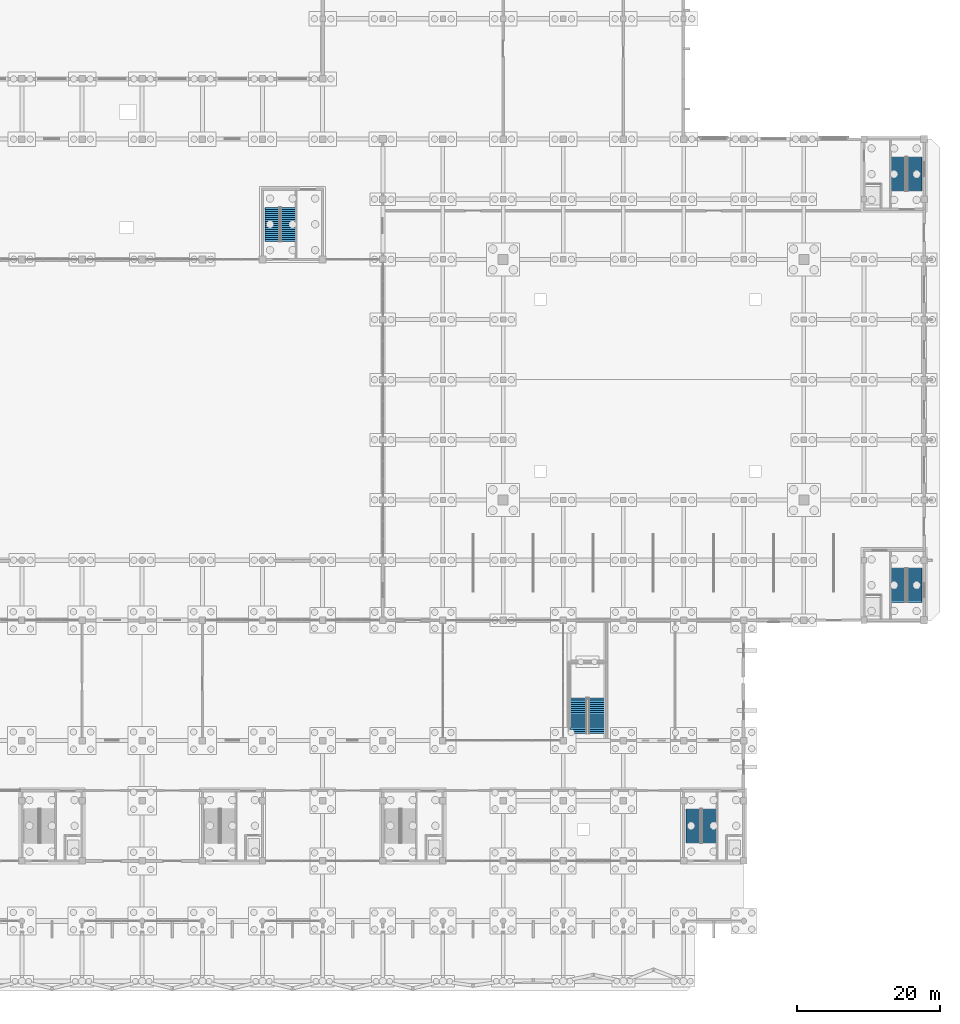
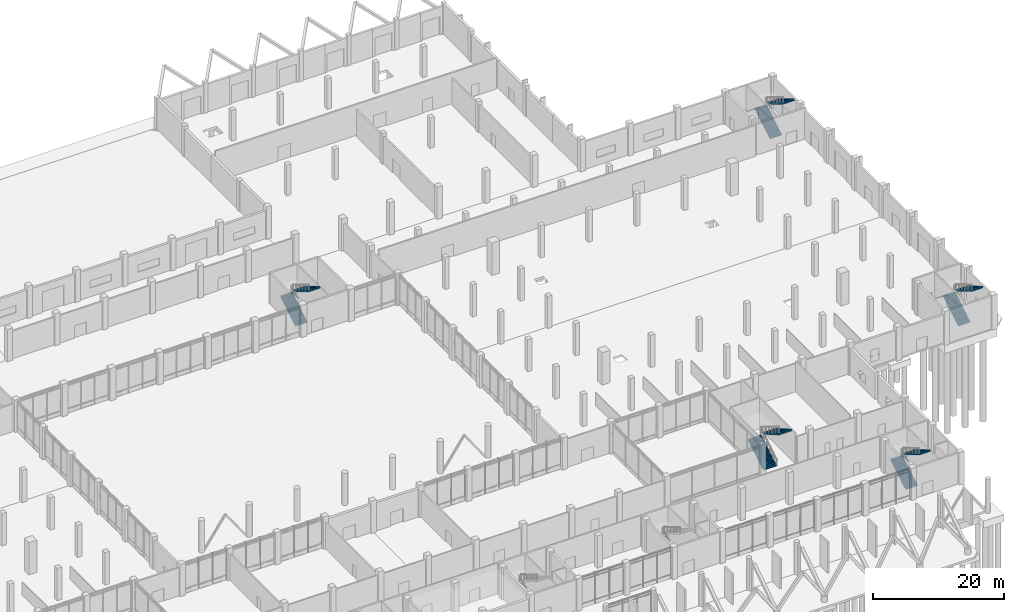
# One storey, part 64 of 72: 10 stair flights, 5 elements without a shape of their own.
"""IFC4 building model written with IfcOpenShell, lengths in metres."""

from ifc_helpers import new_model, si_unit, direction, frame, origin, place, context, subcontext, project, spatial, polyline, outline, extrude, material, type_object, element, aggregate, save


model = new_model("IFC4")

# Units and contexts
model_context = context("Model", 3, precision=1e-05, world=origin(), true_north=direction((0.0, 1.0)))
body_context = subcontext(model_context, "Body", "Model", "MODEL_VIEW")
ifc_project = project(units=[si_unit("LENGTHUNIT", "METRE"), si_unit("AREAUNIT", "SQUARE_METRE"), si_unit("VOLUMEUNIT", "CUBIC_METRE"), si_unit("PLANEANGLEUNIT", "RADIAN"), si_unit("MASSUNIT", "GRAM", prefix="KILO")], contexts=[model_context])

# Site, building, storey
site_placement = place(None, origin())
site = spatial("IfcSite", under=ifc_project, at=site_placement, CompositionType="ELEMENT")
building_placement = place(site_placement, origin())
building = spatial("IfcBuilding", under=site, at=building_placement, Name="Qawsi Khor Wholesale Market", CompositionType="ELEMENT")
storey_placement = place(building_placement, origin())
storey = spatial("IfcBuildingStorey", under=building, at=storey_placement, Name="L00", CompositionType="ELEMENT", Elevation=0.0)

# Stair, stair flights
ifc_material = material(Name="Concrete C40/50", Category="concrete")
stair_type_1 = type_object("IfcStairType", Name="Atrium Feature Stair 6000 Rise", PredefinedType="HALF_TURN_STAIR", material=ifc_material)
stair_1_placement = place(storey_placement, origin())
stair_1 = element("IfcStair", 1, at=stair_1_placement, inside=storey, type_object=stair_type_1, Name="Atrium feature stair E L00", PredefinedType="HALF_TURN_STAIR")
stair_flight_type_1 = type_object("IfcStairFlightType", Name="Atrium Feature Flight 18R x 166.7 / 290G (2300w)", PredefinedType="STRAIGHT", material=ifc_material)
stair_flight_1_placement = place(storey_placement, frame((170.10009765625, 26.199951171875, 0.0), z_axis=(0.0, 0.0, 1.0), x_axis=(0.0, 1.0, 0.0)))
stair_flight_1 = element("IfcStairFlight", 2, at=stair_flight_1_placement, type_object=stair_flight_type_1, Name="ST-AE-0 flight 1", NumberOfRisers=18, NumberOfTreads=17, PredefinedType="STRAIGHT", RiserHeight=0.16667, TreadLength=0.29, context=body_context, shape_type="SweptSolid", body=[
    extrude(outline(polyline([(0.0, 0.0), (0.0, 0.166748046875), (0.2900390625, 0.166748046875), (0.2900390625, 0.333251953125), (0.580078125, 0.333251953125), (0.580078125, 0.5), (0.8701171875, 0.5), (0.8701171875, 0.666748046875), (1.159912109375, 0.666748046875), (1.159912109375, 0.833251953125), (1.449951171875, 0.833251953125), (1.449951171875, 1.0), (1.739990234375, 1.0), (1.739990234375, 1.166748046875), (2.030029296875, 1.166748046875), (2.030029296875, 1.333251953125), (2.320068359375, 1.333251953125), (2.320068359375, 1.5), (2.610107421875, 1.5), (2.610107421875, 1.666748046875), (2.89990234375, 1.666748046875), (2.89990234375, 1.833251953125), (3.18994140625, 1.833251953125), (3.18994140625, 2.0), (3.47998046875, 2.0), (3.47998046875, 2.166748046875), (3.77001953125, 2.166748046875), (3.77001953125, 2.33349609375), (4.06005859375, 2.33349609375), (4.06005859375, 2.5), (4.35009765625, 2.5), (4.35009765625, 2.666748046875), (4.639892578125, 2.666748046875), (4.639892578125, 2.83349609375), (4.929931640625, 2.83349609375), (4.929931640625, 3.0), (4.929931640625, 2.602783203125), (0.4013671875, 0.0), (0.0, 0.0)])), frame((0.0, 1.14990234375, 0.0), z_axis=(0.0, -1.0, 0.0), x_axis=(1.0, 0.0, 0.0)), (0.0, 0.0, 1.0), 2.300048828125),
])
stair_flight_2_placement = place(storey_placement, frame((172.699951171875, 31.1298828125, 3.0), z_axis=(0.0, 0.0, 1.0), x_axis=(0.0, -1.0, 0.0)))
stair_flight_2 = element("IfcStairFlight", 3, at=stair_flight_2_placement, type_object=stair_flight_type_1, Name="ST-AE-0 flight 2", NumberOfRisers=18, NumberOfTreads=17, PredefinedType="STRAIGHT", RiserHeight=0.16667, TreadLength=0.29, context=body_context, shape_type="SweptSolid", body=[
    extrude(outline(polyline([(0.0, 0.0), (0.0, 0.166748046875), (0.2900390625, 0.166748046875), (0.2900390625, 0.333251953125), (0.580078125, 0.333251953125), (0.580078125, 0.5), (0.8701171875, 0.5), (0.8701171875, 0.666748046875), (1.159912109375, 0.666748046875), (1.159912109375, 0.833251953125), (1.449951171875, 0.833251953125), (1.449951171875, 1.0), (1.739990234375, 1.0), (1.739990234375, 1.166748046875), (2.030029296875, 1.166748046875), (2.030029296875, 1.333251953125), (2.320068359375, 1.333251953125), (2.320068359375, 1.5), (2.610107421875, 1.5), (2.610107421875, 1.666748046875), (2.89990234375, 1.666748046875), (2.89990234375, 1.833251953125), (3.18994140625, 1.833251953125), (3.18994140625, 2.0), (3.47998046875, 2.0), (3.47998046875, 2.166748046875), (3.77001953125, 2.166748046875), (3.77001953125, 2.33349609375), (4.06005859375, 2.33349609375), (4.06005859375, 2.5), (4.35009765625, 2.5), (4.35009765625, 2.666748046875), (4.639892578125, 2.666748046875), (4.639892578125, 2.83349609375), (4.929931640625, 2.83349609375), (4.929931640625, 3.0), (4.929931640625, 2.602783203125), (0.4013671875, 0.0), (0.0, 0.0)])), frame((0.0, 1.14990234375, 0.0), z_axis=(0.0, -1.0, 0.0), x_axis=(1.0, 0.0, 0.0)), (0.0, 0.0, 1.0), 2.300048828125),
])
aggregate(stair_1, [stair_flight_1, stair_flight_2])

stair_type_2 = type_object("IfcStairType", Name="Exit Stair L00-L01 6000 Rise", PredefinedType="HALF_TURN_STAIR", material=ifc_material)
stair_2_placement = place(storey_placement, origin())
stair_2 = element("IfcStair", 4, at=stair_2_placement, inside=storey, type_object=stair_type_2, Name="Stair ST-06 L00", PredefinedType="HALF_TURN_STAIR")
stair_flight_type_2 = type_object("IfcStairFlightType", Name="Stair Flight 18R x 166.7 / 280G (2060w)", PredefinedType="STRAIGHT", material=ifc_material)
stair_flight_3_placement = place(storey_placement, frame((186.14990234375, 10.919921875, 0.0), z_axis=(0.0, 0.0, 1.0), x_axis=(0.0, 1.0, 0.0)))
stair_flight_3 = element("IfcStairFlight", 5, at=stair_flight_3_placement, type_object=stair_flight_type_2, Name="ST-06-L00 flight 1", NumberOfRisers=18, NumberOfTreads=17, PredefinedType="STRAIGHT", RiserHeight=0.16667, TreadLength=0.28, context=body_context, shape_type="SweptSolid", body=[
    extrude(outline(polyline([(0.0, 0.0), (0.0, 0.166748046875), (0.280029296875, 0.166748046875), (0.280029296875, 0.333251953125), (0.56005859375, 0.333251953125), (0.56005859375, 0.5), (0.840087890625, 0.5), (0.840087890625, 0.666748046875), (1.1201171875, 0.666748046875), (1.1201171875, 0.833251953125), (1.39990234375, 0.833251953125), (1.39990234375, 1.0), (1.679931640625, 1.0), (1.679931640625, 1.166748046875), (1.9599609375, 1.166748046875), (1.9599609375, 1.333251953125), (2.239990234375, 1.333251953125), (2.239990234375, 1.5), (2.52001953125, 1.5), (2.52001953125, 1.666748046875), (2.800048828125, 1.666748046875), (2.800048828125, 1.833251953125), (3.080078125, 1.833251953125), (3.080078125, 2.0), (3.360107421875, 2.0), (3.360107421875, 2.166748046875), (3.639892578125, 2.166748046875), (3.639892578125, 2.33349609375), (3.919921875, 2.33349609375), (3.919921875, 2.5), (4.199951171875, 2.5), (4.199951171875, 2.666748046875), (4.47998046875, 2.666748046875), (4.47998046875, 2.83349609375), (4.760009765625, 2.83349609375), (4.760009765625, 3.0), (4.760009765625, 2.6240234375), (0.351806640625, 0.0), (0.0, 0.0)])), frame((0.0, 1.030029296875, 0.0), z_axis=(0.0, -1.0, 0.0), x_axis=(1.0, 0.0, 0.0)), (0.0, 0.0, 1.0), 2.06005859375),
])
stair_flight_4_placement = place(storey_placement, frame((188.389892578125, 15.679931640625, 3.0), z_axis=(0.0, 0.0, 1.0), x_axis=(0.0, -1.0, 0.0)))
stair_flight_4 = element("IfcStairFlight", 6, at=stair_flight_4_placement, type_object=stair_flight_type_2, Name="ST-06-L00 flight 2", NumberOfRisers=18, NumberOfTreads=17, PredefinedType="STRAIGHT", RiserHeight=0.16667, TreadLength=0.28, context=body_context, shape_type="SweptSolid", body=[
    extrude(outline(polyline([(0.0, 0.0), (0.0, 0.166748046875), (0.280029296875, 0.166748046875), (0.280029296875, 0.333251953125), (0.56005859375, 0.333251953125), (0.56005859375, 0.5), (0.840087890625, 0.5), (0.840087890625, 0.666748046875), (1.1201171875, 0.666748046875), (1.1201171875, 0.833251953125), (1.39990234375, 0.833251953125), (1.39990234375, 1.0), (1.679931640625, 1.0), (1.679931640625, 1.166748046875), (1.9599609375, 1.166748046875), (1.9599609375, 1.333251953125), (2.239990234375, 1.333251953125), (2.239990234375, 1.5), (2.52001953125, 1.5), (2.52001953125, 1.666748046875), (2.800048828125, 1.666748046875), (2.800048828125, 1.833251953125), (3.080078125, 1.833251953125), (3.080078125, 2.0), (3.360107421875, 2.0), (3.360107421875, 2.166748046875), (3.639892578125, 2.166748046875), (3.639892578125, 2.33349609375), (3.919921875, 2.33349609375), (3.919921875, 2.5), (4.199951171875, 2.5), (4.199951171875, 2.666748046875), (4.47998046875, 2.666748046875), (4.47998046875, 2.83349609375), (4.760009765625, 2.83349609375), (4.760009765625, 3.0), (4.760009765625, 2.6240234375), (0.351806640625, 0.0), (0.0, 0.0)])), frame((0.0, 1.030029296875, 0.0), z_axis=(0.0, -1.0, 0.0), x_axis=(1.0, 0.0, 0.0)), (0.0, 0.0, 1.0), 2.06005859375),
])
aggregate(stair_2, [stair_flight_3, stair_flight_4])

stair_3_placement = place(storey_placement, origin())
stair_3 = element("IfcStair", 7, at=stair_3_placement, inside=storey, type_object=stair_type_2, Name="Stair ST-10 L00", PredefinedType="HALF_TURN_STAIR")
stair_flight_5_placement = place(storey_placement, frame((127.35009765625, 94.919921875, 0.0), z_axis=(0.0, 0.0, 1.0), x_axis=(0.0, 1.0, 0.0)))
stair_flight_5 = element("IfcStairFlight", 8, at=stair_flight_5_placement, type_object=stair_flight_type_2, Name="ST-10-L00 flight 1", NumberOfRisers=18, NumberOfTreads=17, PredefinedType="STRAIGHT", RiserHeight=0.16667, TreadLength=0.28, context=body_context, shape_type="SweptSolid", body=[
    extrude(outline(polyline([(0.0, 0.0), (0.0, 0.166748046875), (0.280029296875, 0.166748046875), (0.280029296875, 0.333251953125), (0.56005859375, 0.333251953125), (0.56005859375, 0.5), (0.840087890625, 0.5), (0.840087890625, 0.666748046875), (1.1201171875, 0.666748046875), (1.1201171875, 0.833251953125), (1.39990234375, 0.833251953125), (1.39990234375, 1.0), (1.679931640625, 1.0), (1.679931640625, 1.166748046875), (1.9599609375, 1.166748046875), (1.9599609375, 1.333251953125), (2.239990234375, 1.333251953125), (2.239990234375, 1.5), (2.52001953125, 1.5), (2.52001953125, 1.666748046875), (2.800048828125, 1.666748046875), (2.800048828125, 1.833251953125), (3.080078125, 1.833251953125), (3.080078125, 2.0), (3.360107421875, 2.0), (3.360107421875, 2.166748046875), (3.639892578125, 2.166748046875), (3.639892578125, 2.33349609375), (3.919921875, 2.33349609375), (3.919921875, 2.5), (4.199951171875, 2.5), (4.199951171875, 2.666748046875), (4.47998046875, 2.666748046875), (4.47998046875, 2.83349609375), (4.760009765625, 2.83349609375), (4.760009765625, 3.0), (4.760009765625, 2.6240234375), (0.351806640625, 0.0), (0.0, 0.0)])), frame((0.0, 1.030029296875, 0.0), z_axis=(0.0, -1.0, 0.0), x_axis=(1.0, 0.0, 0.0)), (0.0, 0.0, 1.0), 2.06005859375),
])
stair_flight_6_placement = place(storey_placement, frame((129.590087890625, 99.679931640625, 3.0), z_axis=(0.0, 0.0, 1.0), x_axis=(0.0, -1.0, 0.0)))
stair_flight_6 = element("IfcStairFlight", 9, at=stair_flight_6_placement, type_object=stair_flight_type_2, Name="ST-10-L00 flight 2", NumberOfRisers=18, NumberOfTreads=17, PredefinedType="STRAIGHT", RiserHeight=0.16667, TreadLength=0.28, context=body_context, shape_type="SweptSolid", body=[
    extrude(outline(polyline([(0.0, 0.0), (0.0, 0.166748046875), (0.280029296875, 0.166748046875), (0.280029296875, 0.333251953125), (0.56005859375, 0.333251953125), (0.56005859375, 0.5), (0.840087890625, 0.5), (0.840087890625, 0.666748046875), (1.1201171875, 0.666748046875), (1.1201171875, 0.833251953125), (1.39990234375, 0.833251953125), (1.39990234375, 1.0), (1.679931640625, 1.0), (1.679931640625, 1.166748046875), (1.9599609375, 1.166748046875), (1.9599609375, 1.333251953125), (2.239990234375, 1.333251953125), (2.239990234375, 1.5), (2.52001953125, 1.5), (2.52001953125, 1.666748046875), (2.800048828125, 1.666748046875), (2.800048828125, 1.833251953125), (3.080078125, 1.833251953125), (3.080078125, 2.0), (3.360107421875, 2.0), (3.360107421875, 2.166748046875), (3.639892578125, 2.166748046875), (3.639892578125, 2.33349609375), (3.919921875, 2.33349609375), (3.919921875, 2.5), (4.199951171875, 2.5), (4.199951171875, 2.666748046875), (4.47998046875, 2.666748046875), (4.47998046875, 2.83349609375), (4.760009765625, 2.83349609375), (4.760009765625, 3.0), (4.760009765625, 2.6240234375), (0.351806640625, 0.0), (0.0, 0.0)])), frame((0.0, 1.030029296875, 0.0), z_axis=(0.0, -1.0, 0.0), x_axis=(1.0, 0.0, 0.0)), (0.0, 0.0, 1.0), 2.06005859375),
])
aggregate(stair_3, [stair_flight_5, stair_flight_6])

stair_4_placement = place(storey_placement, origin())
stair_4 = element("IfcStair", 10, at=stair_4_placement, inside=storey, type_object=stair_type_2, Name="Stair ST-11 L00", PredefinedType="HALF_TURN_STAIR")
stair_flight_7_placement = place(storey_placement, frame((214.81005859375, 44.52001953125, 0.0), z_axis=(0.0, 0.0, 1.0), x_axis=(0.0, 1.0, 0.0)))
stair_flight_7 = element("IfcStairFlight", 11, at=stair_flight_7_placement, type_object=stair_flight_type_2, Name="ST-11-L00 flight 1", NumberOfRisers=18, NumberOfTreads=17, PredefinedType="STRAIGHT", RiserHeight=0.16667, TreadLength=0.28, context=body_context, shape_type="SweptSolid", body=[
    extrude(outline(polyline([(0.0, 0.0), (0.0, 0.166748046875), (0.280029296875, 0.166748046875), (0.280029296875, 0.333251953125), (0.56005859375, 0.333251953125), (0.56005859375, 0.5), (0.840087890625, 0.5), (0.840087890625, 0.666748046875), (1.1201171875, 0.666748046875), (1.1201171875, 0.833251953125), (1.39990234375, 0.833251953125), (1.39990234375, 1.0), (1.679931640625, 1.0), (1.679931640625, 1.166748046875), (1.9599609375, 1.166748046875), (1.9599609375, 1.333251953125), (2.239990234375, 1.333251953125), (2.239990234375, 1.5), (2.52001953125, 1.5), (2.52001953125, 1.666748046875), (2.800048828125, 1.666748046875), (2.800048828125, 1.833251953125), (3.080078125, 1.833251953125), (3.080078125, 2.0), (3.360107421875, 2.0), (3.360107421875, 2.166748046875), (3.639892578125, 2.166748046875), (3.639892578125, 2.33349609375), (3.919921875, 2.33349609375), (3.919921875, 2.5), (4.199951171875, 2.5), (4.199951171875, 2.666748046875), (4.47998046875, 2.666748046875), (4.47998046875, 2.83349609375), (4.760009765625, 2.83349609375), (4.760009765625, 3.0), (4.760009765625, 2.6240234375), (0.351806640625, 0.0), (0.0, 0.0)])), frame((0.0, 1.030029296875, 0.0), z_axis=(0.0, -1.0, 0.0), x_axis=(1.0, 0.0, 0.0)), (0.0, 0.0, 1.0), 2.06005859375),
])
stair_flight_8_placement = place(storey_placement, frame((217.050048828125, 49.280029296875, 3.0), z_axis=(0.0, 0.0, 1.0), x_axis=(0.0, -1.0, 0.0)))
stair_flight_8 = element("IfcStairFlight", 12, at=stair_flight_8_placement, type_object=stair_flight_type_2, Name="ST-11-L00 flight 2", NumberOfRisers=18, NumberOfTreads=17, PredefinedType="STRAIGHT", RiserHeight=0.16667, TreadLength=0.28, context=body_context, shape_type="SweptSolid", body=[
    extrude(outline(polyline([(0.0, 0.0), (0.0, 0.166748046875), (0.280029296875, 0.166748046875), (0.280029296875, 0.333251953125), (0.56005859375, 0.333251953125), (0.56005859375, 0.5), (0.840087890625, 0.5), (0.840087890625, 0.666748046875), (1.1201171875, 0.666748046875), (1.1201171875, 0.833251953125), (1.39990234375, 0.833251953125), (1.39990234375, 1.0), (1.679931640625, 1.0), (1.679931640625, 1.166748046875), (1.9599609375, 1.166748046875), (1.9599609375, 1.333251953125), (2.239990234375, 1.333251953125), (2.239990234375, 1.5), (2.52001953125, 1.5), (2.52001953125, 1.666748046875), (2.800048828125, 1.666748046875), (2.800048828125, 1.833251953125), (3.080078125, 1.833251953125), (3.080078125, 2.0), (3.360107421875, 2.0), (3.360107421875, 2.166748046875), (3.639892578125, 2.166748046875), (3.639892578125, 2.33349609375), (3.919921875, 2.33349609375), (3.919921875, 2.5), (4.199951171875, 2.5), (4.199951171875, 2.666748046875), (4.47998046875, 2.666748046875), (4.47998046875, 2.83349609375), (4.760009765625, 2.83349609375), (4.760009765625, 3.0), (4.760009765625, 2.6240234375), (0.351806640625, 0.0), (0.0, 0.0)])), frame((0.0, 1.030029296875, 0.0), z_axis=(0.0, -1.0, 0.0), x_axis=(1.0, 0.0, 0.0)), (0.0, 0.0, 1.0), 2.06005859375),
])
aggregate(stair_4, [stair_flight_7, stair_flight_8])

stair_5_placement = place(storey_placement, origin())
stair_5 = element("IfcStair", 13, at=stair_5_placement, inside=storey, type_object=stair_type_2, Name="Stair ST-12 L00", PredefinedType="HALF_TURN_STAIR")
stair_flight_9_placement = place(storey_placement, frame((214.81005859375, 101.919921875, 0.0), z_axis=(0.0, 0.0, 1.0), x_axis=(0.0, 1.0, 0.0)))
stair_flight_9 = element("IfcStairFlight", 14, at=stair_flight_9_placement, type_object=stair_flight_type_2, Name="ST-12-L00 flight 1", NumberOfRisers=18, NumberOfTreads=17, PredefinedType="STRAIGHT", RiserHeight=0.16667, TreadLength=0.28, context=body_context, shape_type="SweptSolid", body=[
    extrude(outline(polyline([(0.0, 0.0), (0.0, 0.166748046875), (0.280029296875, 0.166748046875), (0.280029296875, 0.333251953125), (0.56005859375, 0.333251953125), (0.56005859375, 0.5), (0.840087890625, 0.5), (0.840087890625, 0.666748046875), (1.1201171875, 0.666748046875), (1.1201171875, 0.833251953125), (1.39990234375, 0.833251953125), (1.39990234375, 1.0), (1.679931640625, 1.0), (1.679931640625, 1.166748046875), (1.9599609375, 1.166748046875), (1.9599609375, 1.333251953125), (2.239990234375, 1.333251953125), (2.239990234375, 1.5), (2.52001953125, 1.5), (2.52001953125, 1.666748046875), (2.800048828125, 1.666748046875), (2.800048828125, 1.833251953125), (3.080078125, 1.833251953125), (3.080078125, 2.0), (3.360107421875, 2.0), (3.360107421875, 2.166748046875), (3.639892578125, 2.166748046875), (3.639892578125, 2.33349609375), (3.919921875, 2.33349609375), (3.919921875, 2.5), (4.199951171875, 2.5), (4.199951171875, 2.666748046875), (4.47998046875, 2.666748046875), (4.47998046875, 2.83349609375), (4.760009765625, 2.83349609375), (4.760009765625, 3.0), (4.760009765625, 2.6240234375), (0.351806640625, 0.0), (0.0, 0.0)])), frame((0.0, 1.030029296875, 0.0), z_axis=(0.0, -1.0, 0.0), x_axis=(1.0, 0.0, 0.0)), (0.0, 0.0, 1.0), 2.06005859375),
])
stair_flight_10_placement = place(storey_placement, frame((217.050048828125, 106.679931640625, 3.0), z_axis=(0.0, 0.0, 1.0), x_axis=(0.0, -1.0, 0.0)))
stair_flight_10 = element("IfcStairFlight", 15, at=stair_flight_10_placement, type_object=stair_flight_type_2, Name="ST-12-L00 flight 2", NumberOfRisers=18, NumberOfTreads=17, PredefinedType="STRAIGHT", RiserHeight=0.16667, TreadLength=0.28, context=body_context, shape_type="SweptSolid", body=[
    extrude(outline(polyline([(0.0, 0.0), (0.0, 0.166748046875), (0.280029296875, 0.166748046875), (0.280029296875, 0.333251953125), (0.56005859375, 0.333251953125), (0.56005859375, 0.5), (0.840087890625, 0.5), (0.840087890625, 0.666748046875), (1.1201171875, 0.666748046875), (1.1201171875, 0.833251953125), (1.39990234375, 0.833251953125), (1.39990234375, 1.0), (1.679931640625, 1.0), (1.679931640625, 1.166748046875), (1.9599609375, 1.166748046875), (1.9599609375, 1.333251953125), (2.239990234375, 1.333251953125), (2.239990234375, 1.5), (2.52001953125, 1.5), (2.52001953125, 1.666748046875), (2.800048828125, 1.666748046875), (2.800048828125, 1.833251953125), (3.080078125, 1.833251953125), (3.080078125, 2.0), (3.360107421875, 2.0), (3.360107421875, 2.166748046875), (3.639892578125, 2.166748046875), (3.639892578125, 2.33349609375), (3.919921875, 2.33349609375), (3.919921875, 2.5), (4.199951171875, 2.5), (4.199951171875, 2.666748046875), (4.47998046875, 2.666748046875), (4.47998046875, 2.83349609375), (4.760009765625, 2.83349609375), (4.760009765625, 3.0), (4.760009765625, 2.6240234375), (0.351806640625, 0.0), (0.0, 0.0)])), frame((0.0, 1.030029296875, 0.0), z_axis=(0.0, -1.0, 0.0), x_axis=(1.0, 0.0, 0.0)), (0.0, 0.0, 1.0), 2.06005859375),
])
aggregate(stair_5, [stair_flight_9, stair_flight_10])

save(model, "model.ifc")
